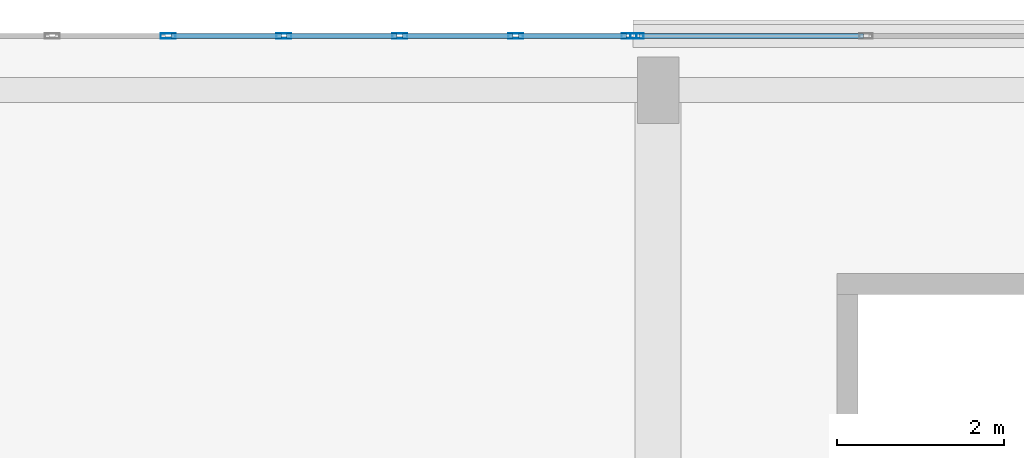
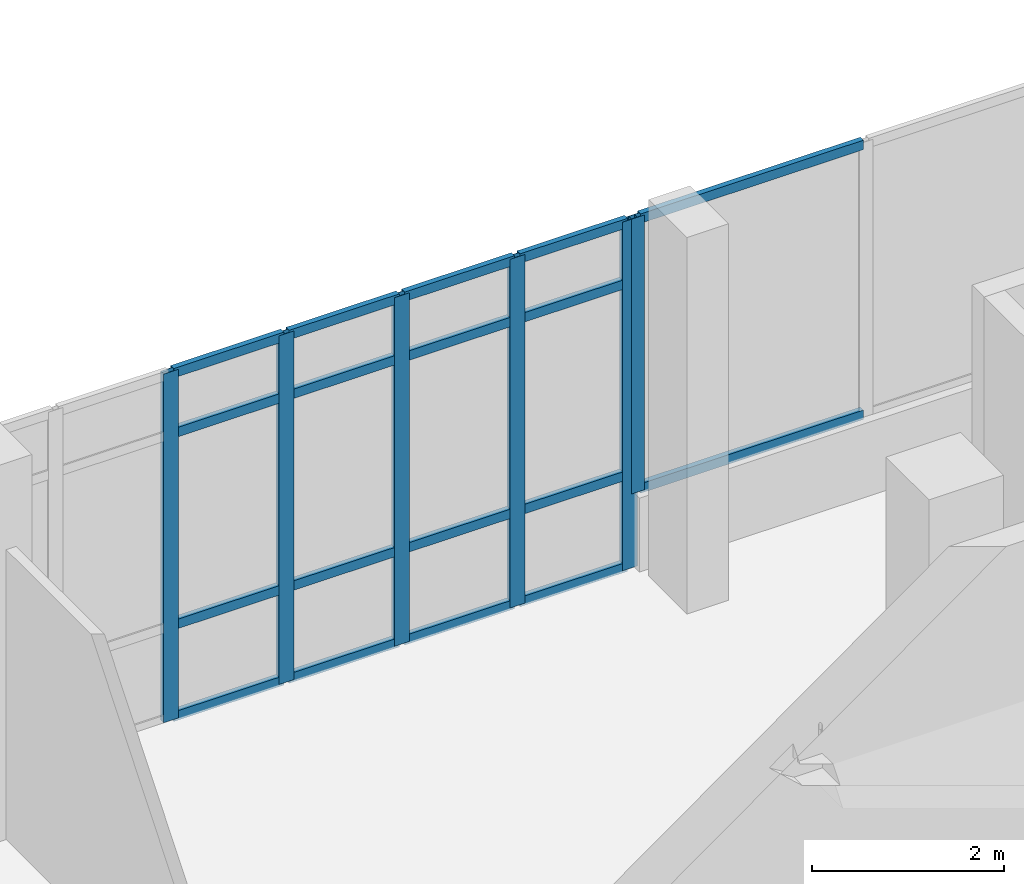
# One storey, part 115 of 168: 24 members, 2 elements without a shape of their own.
"""IFC4 building model written with IfcOpenShell, lengths in metres."""

import ifcopenshell
import ifcopenshell.guid

model = None  # the IFC model being written
_history = None  # IfcOwnerHistory: only IFC2X3 demands one
_inside = {}  # id of a spatial element -> (the spatial element, [elements in it])
_under = {}  # id of a project, library or spatial element -> (it, [spatial elements below it])
_declared = {}  # id of a project -> (the project, [libraries it declares])
_typed = {}  # id of a type object -> (the type object, [elements of that type])
_made_of = {}  # id of a material, layer set ... -> (it, [elements and type objects made of it])


def new_model(schema):
    """Start an empty IFC model of exactly this schema.

    Asked for "IFC4X3", IfcOpenShell would pick the latest addendum, in which some entities
    have other attributes; the version numbers below select the first issue.
    IFC2X3 requires an IfcOwnerHistory on every rooted entity: one is made here for all.
    """
    global model, _history
    if schema == "IFC4X3":
        model = ifcopenshell.file(schema_version=(4, 3, 0, 0))
    else:
        model = ifcopenshell.file(schema=schema)
    _inside.clear()
    _under.clear()
    _declared.clear()
    _typed.clear()
    _made_of.clear()
    _history = None
    if model.schema == "IFC2X3":
        org = make("IfcOrganization", Name="unknown")
        user = make(
            "IfcPersonAndOrganization",
            ThePerson=make("IfcPerson", FamilyName="unknown"),
            TheOrganization=org,
        )
        app = make(
            "IfcApplication",
            ApplicationDeveloper=org,
            Version="unknown",
            ApplicationFullName="unknown",
            ApplicationIdentifier="unknown",
        )
        _history = make(
            "IfcOwnerHistory",
            OwningUser=user,
            OwningApplication=app,
            ChangeAction="ADDED",
            CreationDate=0,
        )
    return model


def make(cls, **values):
    """One entity of the class cls with the attributes given. An attribute that is None is left unset."""
    return model.create_entity(
        cls, **{name: value for name, value in values.items() if value is not None}
    )


def rooted(cls, **values):
    """An entity with a GlobalId (a new one), such as an element, a storey or a relation."""
    return make(cls, GlobalId=ifcopenshell.guid.new(), OwnerHistory=_history, **values)


def si_unit(unit_type, name, prefix=None):
    """IfcSIUnit, for example si_unit("LENGTHUNIT", "METRE", prefix="MILLI")."""
    return make("IfcSIUnit", UnitType=unit_type, Prefix=prefix, Name=name)


def assignment(units):
    """IfcUnitAssignment: the units of a project."""
    return None if units is None else make("IfcUnitAssignment", Units=units)


def point(xyz):
    """IfcCartesianPoint."""
    return None if xyz is None else make("IfcCartesianPoint", Coordinates=xyz)


def direction(xyz):
    """IfcDirection."""
    return None if xyz is None else make("IfcDirection", DirectionRatios=xyz)


def frame(location, z_axis=None, x_axis=None):
    """IfcAxis2Placement3D, a coordinate frame: its origin and axes. An axis left out is left unset."""
    return make(
        "IfcAxis2Placement3D",
        Location=point(location),
        Axis=direction(z_axis),
        RefDirection=direction(x_axis),
    )


def frame_2d(location, x_axis=None):
    """IfcAxis2Placement2D, a coordinate frame in the plane: its origin and x axis."""
    return make(
        "IfcAxis2Placement2D", Location=point(location), RefDirection=direction(x_axis)
    )


def origin():
    """The frame at (0, 0, 0) with its axes left unset."""
    return frame((0.0, 0.0, 0.0))


def origin_2d():
    """The frame at (0, 0) in the plane with its x axis left unset."""
    return frame_2d((0.0, 0.0))


def place(relative_to, where):
    """IfcLocalPlacement: puts the frame where relative to a parent placement (None: the world)."""
    return make(
        "IfcLocalPlacement", PlacementRelTo=relative_to, RelativePlacement=where
    )


def context(
    kind, dimensions, precision=None, world=None, true_north=None, identifier=None
):
    """IfcGeometricRepresentationContext, for example the 3D "Model" context."""
    return make(
        "IfcGeometricRepresentationContext",
        ContextIdentifier=identifier,
        ContextType=kind,
        CoordinateSpaceDimension=dimensions,
        Precision=precision,
        WorldCoordinateSystem=world,
        TrueNorth=true_north,
    )


def subcontext(parent, identifier, kind, view, scale=None):
    """IfcGeometricRepresentationSubContext, for example "Body" below "Model"."""
    return make(
        "IfcGeometricRepresentationSubContext",
        ContextIdentifier=identifier,
        ContextType=kind,
        ParentContext=parent,
        TargetScale=scale,
        TargetView=view,
    )


def project(units=None, contexts=None):
    """IfcProject with its units and contexts."""
    return rooted(
        "IfcProject",
        Name="project",
        RepresentationContexts=contexts,
        UnitsInContext=assignment(units),
    )


def spatial(cls, under=None, at=None, **own):
    """A site, building, storey or space (cls), placed at a placement, below another one or the project."""
    s = rooted(cls, ObjectPlacement=at, **own)
    if under is not None:
        _under.setdefault(under.id(), (under, []))[1].append(s)
    return s


def profile(cls, at=None, kind="AREA", **sizes):
    """A parametric profile (cls). Its sizes go by their IFC names, for example OverallWidth=200.0."""
    return make(cls, ProfileType=kind, Position=at, **sizes)


def hollow_rectangle(**sizes):
    """IfcRectangleHollowProfileDef."""
    return profile("IfcRectangleHollowProfileDef", **sizes)


def extrude(swept, where, along, depth):
    """IfcExtrudedAreaSolid: the profile swept, set in the frame where, extruded along a direction by depth."""
    return make(
        "IfcExtrudedAreaSolid",
        SweptArea=swept,
        Position=where,
        ExtrudedDirection=direction(along),
        Depth=depth,
    )


def shape(context_of_items, identifier, shape_type, items):
    """IfcShapeRepresentation: the items that make up one representation, for example the "Body"."""
    return make(
        "IfcShapeRepresentation",
        ContextOfItems=context_of_items,
        RepresentationIdentifier=identifier,
        RepresentationType=shape_type,
        Items=items,
    )


def material(Name=None, Category=None):
    """IfcMaterial."""
    return make("IfcMaterial", Name=Name, Category=Category)


def material_profile(
    of_material, cross_section, Name=None, Category=None, Priority=None
):
    """IfcMaterialProfile: a cross section and its material."""
    return make(
        "IfcMaterialProfile",
        Name=Name,
        Material=of_material,
        Profile=cross_section,
        Priority=Priority,
        Category=Category,
    )


def profile_set(profiles, Name=None, composite=None):
    """IfcMaterialProfileSet."""
    return make(
        "IfcMaterialProfileSet",
        Name=Name,
        MaterialProfiles=profiles,
        CompositeProfile=composite,
    )


def made_of(thing, what):
    """Note that an element or type object is made of a material, layer set ...; save() writes the relation."""
    if what is not None:
        _made_of.setdefault(what.id(), (what, []))[1].append(thing)
    return thing


def type_object(cls, material=None, **own):
    """A type object (cls), such as IfcWallType, which elements share."""
    return made_of(rooted(cls, **own), material)


def element(
    cls,
    number,
    at=None,
    inside=None,
    cuts=None,
    type_object=None,
    material=None,
    context=None,
    identifier="Body",
    shape_type=None,
    held_by="IfcProductDefinitionShape",
    body=None,
    shapes=None,
    **own,
):
    """One element of the class cls, such as IfcWall. Its Tag is "e" and its number.

    at: its placement. inside: the storey or other place that contains it. cuts: it is an
    opening in that element (IfcRelVoidsElement). A single representation is given by context,
    identifier, shape_type and body (its items); several are given by shapes. held_by: the class
    of the entity that holds the representations. save() writes the other relations.
    """
    e = rooted(cls, Tag="e%d" % number, ObjectPlacement=at, **own)
    if body is not None:
        shapes = [shape(context, identifier, shape_type, body)]
    if shapes is not None:
        e.Representation = make(held_by, Representations=shapes)
    if inside is not None:
        _inside.setdefault(inside.id(), (inside, []))[1].append(e)
    if cuts is not None:
        rooted(
            "IfcRelVoidsElement", RelatingBuildingElement=cuts, RelatedOpeningElement=e
        )
    if type_object is not None:
        _typed.setdefault(type_object.id(), (type_object, []))[1].append(e)
    return made_of(e, material)


def aggregate(whole, parts):
    """IfcRelAggregates: a whole, such as a stair, and the parts it consists of."""
    return rooted("IfcRelAggregates", RelatingObject=whole, RelatedObjects=parts)


def save(model, path):
    """Write the relations noted so far, then the file.

    IfcRelAggregates (storeys below a building ...), IfcRelContainedInSpatialStructure (elements
    in a storey), IfcRelDefinesByType, IfcRelAssociatesMaterial and IfcRelDeclares: one each for
    every whole, place, type object, material and project.
    """
    for whole, parts in _under.values():
        aggregate(whole, parts)
    for where, things in _inside.values():
        rooted(
            "IfcRelContainedInSpatialStructure",
            RelatedElements=things,
            RelatingStructure=where,
        )
    for kind, things in _typed.values():
        rooted("IfcRelDefinesByType", RelatedObjects=things, RelatingType=kind)
    for what, things in _made_of.values():
        rooted("IfcRelAssociatesMaterial", RelatedObjects=things, RelatingMaterial=what)
    for by, libraries in _declared.values():
        rooted("IfcRelDeclares", RelatingContext=by, RelatedDefinitions=libraries)
    model.write(path)


model = new_model("IFC4")

# Units and contexts
model_context = context("Model", 3, precision=1e-05, world=origin(), true_north=direction((0.0, 1.0)))
body_context = subcontext(model_context, "Body", "Model", "MODEL_VIEW")
ifc_project = project(units=[si_unit("LENGTHUNIT", "METRE"), si_unit("AREAUNIT", "SQUARE_METRE"), si_unit("VOLUMEUNIT", "CUBIC_METRE"), si_unit("PLANEANGLEUNIT", "RADIAN"), si_unit("MASSUNIT", "GRAM", prefix="KILO")], contexts=[model_context])

# Site, building, storey
site_placement = place(None, origin())
site = spatial("IfcSite", under=ifc_project, at=site_placement, CompositionType="ELEMENT")
building_placement = place(site_placement, origin())
building = spatial("IfcBuilding", under=site, at=building_placement, Name="Selatvlak General Hospital", CompositionType="ELEMENT")
storey_placement = place(building_placement, frame((0.0, 0.0, 5.39990234375)))
storey = spatial("IfcBuildingStorey", under=building, at=storey_placement, Name="L01", CompositionType="ELEMENT", Elevation=5.39990234375)

# Curtain wall, member
ifc_material_1 = material(Name="Solar-control Low-E double glazing", Category="glass")
curtain_wall_type_1 = type_object("IfcCurtainWallType", Name="CW-CW-02", PredefinedType="USERDEFINED", material=ifc_material_1)
curtain_wall_1_placement = place(storey_placement, origin())
curtain_wall_1 = element("IfcCurtainWall", 1, at=curtain_wall_1_placement, inside=storey, type_object=curtain_wall_type_1, Name="Glazed facade curtain wall CW-L01-0127", ObjectType="UNITISED CURTAIN WALL", PredefinedType="USERDEFINED")
ifc_material_2 = material(Name="Dark anodised aluminium mullion", Category="aluminium")
ifc_material_profile_1 = material_profile(ifc_material_2, hollow_rectangle(XDim=0.06494140625, YDim=0.159912109375, WallThickness=0.00390625, at=origin_2d()), Name="AL-MUL 65x160x4")
ifc_profile_set_1 = profile_set([ifc_material_profile_1], Name="Dark anodised aluminium mullion")
member_type_1 = type_object("IfcMemberType", Name="CWM-01", PredefinedType="MULLION", material=ifc_profile_set_1)
member_1_placement = place(storey_placement, frame((140.146484375, 120.0, 0.940185546875), z_axis=(0.0, 0.0, 1.0), x_axis=(0.0, 1.0, 0.0)))
member_1 = element("IfcMember", 2, at=member_1_placement, type_object=member_type_1, Name="CW-02 mullion 1", PredefinedType="MULLION", context=body_context, shape_type="SweptSolid", body=[
    extrude(hollow_rectangle(XDim=0.06494140625, YDim=0.159912109375, WallThickness=0.00390625, at=origin_2d()), origin(), (0.0, 0.0, 1.0), 3.5048828125),
])

# Curtain wall, members
curtain_wall_type_2 = type_object("IfcCurtainWallType", Name="CW-CW-04", PredefinedType="USERDEFINED", material=ifc_material_1)
curtain_wall_2_placement = place(storey_placement, origin())
curtain_wall_2 = element("IfcCurtainWall", 3, at=curtain_wall_2_placement, inside=storey, type_object=curtain_wall_type_2, Name="Glazed facade curtain wall CW-L01-0126", ObjectType="STICK GLAZING WALL", PredefinedType="USERDEFINED")
ifc_material_profile_2 = material_profile(ifc_material_2, hollow_rectangle(XDim=0.06494140625, YDim=0.179931640625, WallThickness=0.00439453125, at=origin_2d()), Name="AL-MUL 65x180x4.5")
ifc_profile_set_2 = profile_set([ifc_material_profile_2], Name="Dark anodised aluminium mullion")
member_type_2 = type_object("IfcMemberType", Name="CWM-02", PredefinedType="MULLION", material=ifc_profile_set_2)
member_2_placement = place(storey_placement, frame((134.517333984375, 120.0, 0.0), z_axis=(0.0, 0.0, 1.0), x_axis=(0.0, 1.0, 0.0)))
member_2 = element("IfcMember", 4, at=member_2_placement, type_object=member_type_2, Name="CW-04 mullion 3", PredefinedType="MULLION", context=body_context, shape_type="SweptSolid", body=[
    extrude(hollow_rectangle(XDim=0.06494140625, YDim=0.179931640625, WallThickness=0.00439453125, at=origin_2d()), origin(), (0.0, 0.0, 1.0), 4.445068359375),
])
member_3_placement = place(storey_placement, frame((135.908935546875, 120.0, 0.0), z_axis=(0.0, 0.0, 1.0), x_axis=(0.0, 1.0, 0.0)))
member_3 = element("IfcMember", 5, at=member_3_placement, type_object=member_type_2, Name="CW-04 mullion 4", PredefinedType="MULLION", context=body_context, shape_type="SweptSolid", body=[
    extrude(hollow_rectangle(XDim=0.06494140625, YDim=0.179931640625, WallThickness=0.00439453125, at=origin_2d()), origin(), (0.0, 0.0, 1.0), 4.445068359375),
])
member_4_placement = place(storey_placement, frame((137.30078125, 120.0, 0.0), z_axis=(0.0, 0.0, 1.0), x_axis=(0.0, 1.0, 0.0)))
member_4 = element("IfcMember", 6, at=member_4_placement, type_object=member_type_2, Name="CW-04 mullion 5", PredefinedType="MULLION", context=body_context, shape_type="SweptSolid", body=[
    extrude(hollow_rectangle(XDim=0.06494140625, YDim=0.179931640625, WallThickness=0.00439453125, at=origin_2d()), origin(), (0.0, 0.0, 1.0), 4.445068359375),
])
member_5_placement = place(storey_placement, frame((138.6923828125, 120.0, 0.0), z_axis=(0.0, 0.0, 1.0), x_axis=(0.0, 1.0, 0.0)))
member_5 = element("IfcMember", 7, at=member_5_placement, type_object=member_type_2, Name="CW-04 mullion 6", PredefinedType="MULLION", context=body_context, shape_type="SweptSolid", body=[
    extrude(hollow_rectangle(XDim=0.06494140625, YDim=0.179931640625, WallThickness=0.00439453125, at=origin_2d()), origin(), (0.0, 0.0, 1.0), 4.445068359375),
])
member_6_placement = place(storey_placement, frame((140.051513671875, 120.0, 0.0), z_axis=(0.0, 0.0, 1.0), x_axis=(0.0, 1.0, 0.0)))
member_6 = element("IfcMember", 8, at=member_6_placement, type_object=member_type_2, Name="CW-04 mullion 7", PredefinedType="MULLION", context=body_context, shape_type="SweptSolid", body=[
    extrude(hollow_rectangle(XDim=0.06494140625, YDim=0.179931640625, WallThickness=0.00439453125, at=origin_2d()), origin(), (0.0, 0.0, 1.0), 4.445068359375),
])
ifc_material_profile_3 = material_profile(ifc_material_2, hollow_rectangle(XDim=0.06494140625, YDim=0.1201171875, WallThickness=0.00390625, at=origin_2d()), Name="AL-TRN 65x120x4")
ifc_profile_set_3 = profile_set([ifc_material_profile_3], Name="Dark anodised aluminium mullion")
member_type_3 = type_object("IfcMemberType", Name="CWT-01", PredefinedType="USERDEFINED", material=ifc_profile_set_3)
member_7_placement = place(storey_placement, frame((134.5498046875, 120.0, 0.03271484375), z_axis=(1.0, 0.0, 0.0), x_axis=(0.0, 1.0, 0.0)))
member_7 = element("IfcMember", 9, at=member_7_placement, type_object=member_type_3, Name="CW-04 transom 3.1", ObjectType="TRANSOM", PredefinedType="USERDEFINED", context=body_context, shape_type="SweptSolid", body=[
    extrude(hollow_rectangle(XDim=0.06494140625, YDim=0.1201171875, WallThickness=0.00390625, at=origin_2d()), origin(), (0.0, 0.0, 1.0), 1.32666015625),
])
member_8_placement = place(storey_placement, frame((134.5498046875, 120.0, 1.2001953125), z_axis=(1.0, 0.0, 0.0), x_axis=(0.0, 1.0, 0.0)))
member_8 = element("IfcMember", 10, at=member_8_placement, type_object=member_type_3, Name="CW-04 transom 3.2", ObjectType="TRANSOM", PredefinedType="USERDEFINED", context=body_context, shape_type="SweptSolid", body=[
    extrude(hollow_rectangle(XDim=0.06494140625, YDim=0.1201171875, WallThickness=0.00390625, at=origin_2d()), origin(), (0.0, 0.0, 1.0), 1.32666015625),
])
member_9_placement = place(storey_placement, frame((134.5498046875, 120.0, 3.64501953125), z_axis=(1.0, 0.0, 0.0), x_axis=(0.0, 1.0, 0.0)))
member_9 = element("IfcMember", 11, at=member_9_placement, type_object=member_type_3, Name="CW-04 transom 3.3", ObjectType="TRANSOM", PredefinedType="USERDEFINED", context=body_context, shape_type="SweptSolid", body=[
    extrude(hollow_rectangle(XDim=0.06494140625, YDim=0.1201171875, WallThickness=0.00390625, at=origin_2d()), origin(), (0.0, 0.0, 1.0), 1.32666015625),
])
member_10_placement = place(storey_placement, frame((134.5498046875, 120.0, 4.41259765625), z_axis=(1.0, 0.0, 0.0), x_axis=(0.0, 1.0, 0.0)))
member_10 = element("IfcMember", 12, at=member_10_placement, type_object=member_type_3, Name="CW-04 transom 3.4", ObjectType="TRANSOM", PredefinedType="USERDEFINED", context=body_context, shape_type="SweptSolid", body=[
    extrude(hollow_rectangle(XDim=0.06494140625, YDim=0.1201171875, WallThickness=0.00390625, at=origin_2d()), origin(), (0.0, 0.0, 1.0), 1.32666015625),
])
member_11_placement = place(storey_placement, frame((135.94140625, 120.0, 0.03271484375), z_axis=(1.0, 0.0, 0.0), x_axis=(0.0, 1.0, 0.0)))
member_11 = element("IfcMember", 13, at=member_11_placement, type_object=member_type_3, Name="CW-04 transom 4.1", ObjectType="TRANSOM", PredefinedType="USERDEFINED", context=body_context, shape_type="SweptSolid", body=[
    extrude(hollow_rectangle(XDim=0.06494140625, YDim=0.1201171875, WallThickness=0.00390625, at=origin_2d()), origin(), (0.0, 0.0, 1.0), 1.32666015625),
])
member_12_placement = place(storey_placement, frame((135.94140625, 120.0, 1.2001953125), z_axis=(1.0, 0.0, 0.0), x_axis=(0.0, 1.0, 0.0)))
member_12 = element("IfcMember", 14, at=member_12_placement, type_object=member_type_3, Name="CW-04 transom 4.2", ObjectType="TRANSOM", PredefinedType="USERDEFINED", context=body_context, shape_type="SweptSolid", body=[
    extrude(hollow_rectangle(XDim=0.06494140625, YDim=0.1201171875, WallThickness=0.00390625, at=origin_2d()), origin(), (0.0, 0.0, 1.0), 1.32666015625),
])
member_13_placement = place(storey_placement, frame((135.94140625, 120.0, 3.64501953125), z_axis=(1.0, 0.0, 0.0), x_axis=(0.0, 1.0, 0.0)))
member_13 = element("IfcMember", 15, at=member_13_placement, type_object=member_type_3, Name="CW-04 transom 4.3", ObjectType="TRANSOM", PredefinedType="USERDEFINED", context=body_context, shape_type="SweptSolid", body=[
    extrude(hollow_rectangle(XDim=0.06494140625, YDim=0.1201171875, WallThickness=0.00390625, at=origin_2d()), origin(), (0.0, 0.0, 1.0), 1.32666015625),
])
member_14_placement = place(storey_placement, frame((135.94140625, 120.0, 4.41259765625), z_axis=(1.0, 0.0, 0.0), x_axis=(0.0, 1.0, 0.0)))
member_14 = element("IfcMember", 16, at=member_14_placement, type_object=member_type_3, Name="CW-04 transom 4.4", ObjectType="TRANSOM", PredefinedType="USERDEFINED", context=body_context, shape_type="SweptSolid", body=[
    extrude(hollow_rectangle(XDim=0.06494140625, YDim=0.1201171875, WallThickness=0.00390625, at=origin_2d()), origin(), (0.0, 0.0, 1.0), 1.32666015625),
])
member_15_placement = place(storey_placement, frame((137.333251953125, 120.0, 0.03271484375), z_axis=(1.0, 0.0, 0.0), x_axis=(0.0, 1.0, 0.0)))
member_15 = element("IfcMember", 17, at=member_15_placement, type_object=member_type_3, Name="CW-04 transom 5.1", ObjectType="TRANSOM", PredefinedType="USERDEFINED", context=body_context, shape_type="SweptSolid", body=[
    extrude(hollow_rectangle(XDim=0.06494140625, YDim=0.1201171875, WallThickness=0.00390625, at=origin_2d()), origin(), (0.0, 0.0, 1.0), 1.32666015625),
])
member_16_placement = place(storey_placement, frame((137.333251953125, 120.0, 1.2001953125), z_axis=(1.0, 0.0, 0.0), x_axis=(0.0, 1.0, 0.0)))
member_16 = element("IfcMember", 18, at=member_16_placement, type_object=member_type_3, Name="CW-04 transom 5.2", ObjectType="TRANSOM", PredefinedType="USERDEFINED", context=body_context, shape_type="SweptSolid", body=[
    extrude(hollow_rectangle(XDim=0.06494140625, YDim=0.1201171875, WallThickness=0.00390625, at=origin_2d()), origin(), (0.0, 0.0, 1.0), 1.32666015625),
])
member_17_placement = place(storey_placement, frame((137.333251953125, 120.0, 3.64501953125), z_axis=(1.0, 0.0, 0.0), x_axis=(0.0, 1.0, 0.0)))
member_17 = element("IfcMember", 19, at=member_17_placement, type_object=member_type_3, Name="CW-04 transom 5.3", ObjectType="TRANSOM", PredefinedType="USERDEFINED", context=body_context, shape_type="SweptSolid", body=[
    extrude(hollow_rectangle(XDim=0.06494140625, YDim=0.1201171875, WallThickness=0.00390625, at=origin_2d()), origin(), (0.0, 0.0, 1.0), 1.32666015625),
])
member_18_placement = place(storey_placement, frame((137.333251953125, 120.0, 4.41259765625), z_axis=(1.0, 0.0, 0.0), x_axis=(0.0, 1.0, 0.0)))
member_18 = element("IfcMember", 20, at=member_18_placement, type_object=member_type_3, Name="CW-04 transom 5.4", ObjectType="TRANSOM", PredefinedType="USERDEFINED", context=body_context, shape_type="SweptSolid", body=[
    extrude(hollow_rectangle(XDim=0.06494140625, YDim=0.1201171875, WallThickness=0.00390625, at=origin_2d()), origin(), (0.0, 0.0, 1.0), 1.32666015625),
])
member_19_placement = place(storey_placement, frame((138.724853515625, 120.0, 0.03271484375), z_axis=(1.0, 0.0, 0.0), x_axis=(0.0, 1.0, 0.0)))
member_19 = element("IfcMember", 21, at=member_19_placement, type_object=member_type_3, Name="CW-04 transom 6.1", ObjectType="TRANSOM", PredefinedType="USERDEFINED", context=body_context, shape_type="SweptSolid", body=[
    extrude(hollow_rectangle(XDim=0.06494140625, YDim=0.1201171875, WallThickness=0.00390625, at=origin_2d()), origin(), (0.0, 0.0, 1.0), 1.294189453125),
])
member_20_placement = place(storey_placement, frame((138.724853515625, 120.0, 1.2001953125), z_axis=(1.0, 0.0, 0.0), x_axis=(0.0, 1.0, 0.0)))
member_20 = element("IfcMember", 22, at=member_20_placement, type_object=member_type_3, Name="CW-04 transom 6.2", ObjectType="TRANSOM", PredefinedType="USERDEFINED", context=body_context, shape_type="SweptSolid", body=[
    extrude(hollow_rectangle(XDim=0.06494140625, YDim=0.1201171875, WallThickness=0.00390625, at=origin_2d()), origin(), (0.0, 0.0, 1.0), 1.294189453125),
])
member_21_placement = place(storey_placement, frame((138.724853515625, 120.0, 3.64501953125), z_axis=(1.0, 0.0, 0.0), x_axis=(0.0, 1.0, 0.0)))
member_21 = element("IfcMember", 23, at=member_21_placement, type_object=member_type_3, Name="CW-04 transom 6.3", ObjectType="TRANSOM", PredefinedType="USERDEFINED", context=body_context, shape_type="SweptSolid", body=[
    extrude(hollow_rectangle(XDim=0.06494140625, YDim=0.1201171875, WallThickness=0.00390625, at=origin_2d()), origin(), (0.0, 0.0, 1.0), 1.294189453125),
])
member_22_placement = place(storey_placement, frame((138.724853515625, 120.0, 4.41259765625), z_axis=(1.0, 0.0, 0.0), x_axis=(0.0, 1.0, 0.0)))
member_22 = element("IfcMember", 24, at=member_22_placement, type_object=member_type_3, Name="CW-04 transom 6.4", ObjectType="TRANSOM", PredefinedType="USERDEFINED", context=body_context, shape_type="SweptSolid", body=[
    extrude(hollow_rectangle(XDim=0.06494140625, YDim=0.1201171875, WallThickness=0.00390625, at=origin_2d()), origin(), (0.0, 0.0, 1.0), 1.294189453125),
])
aggregate(curtain_wall_2, [member_2, member_3, member_4, member_5, member_6, member_7, member_8, member_9, member_10, member_11, member_12, member_13, member_14, member_15, member_16, member_17, member_18, member_19, member_20, member_21, member_22])

# Member
member_23_placement = place(storey_placement, frame((140.178955078125, 120.0, 0.97265625), z_axis=(1.0, 0.0, 0.0), x_axis=(0.0, 1.0, 0.0)))
member_23 = element("IfcMember", 25, at=member_23_placement, type_object=member_type_3, Name="CW-02 transom 1.1", ObjectType="TRANSOM", PredefinedType="USERDEFINED", context=body_context, shape_type="SweptSolid", body=[
    extrude(hollow_rectangle(XDim=0.06494140625, YDim=0.1201171875, WallThickness=0.00390625, at=origin_2d()), origin(), (0.0, 0.0, 1.0), 2.685791015625),
])

member_24_placement = place(storey_placement, frame((140.178955078125, 120.0, 4.41259765625), z_axis=(1.0, 0.0, 0.0), x_axis=(0.0, 1.0, 0.0)))
member_24 = element("IfcMember", 26, at=member_24_placement, type_object=member_type_3, Name="CW-02 transom 1.2", ObjectType="TRANSOM", PredefinedType="USERDEFINED", context=body_context, shape_type="SweptSolid", body=[
    extrude(hollow_rectangle(XDim=0.06494140625, YDim=0.1201171875, WallThickness=0.00390625, at=origin_2d()), origin(), (0.0, 0.0, 1.0), 2.685791015625),
])

aggregate(curtain_wall_1, [member_1, member_23, member_24])

save(model, "model.ifc")
